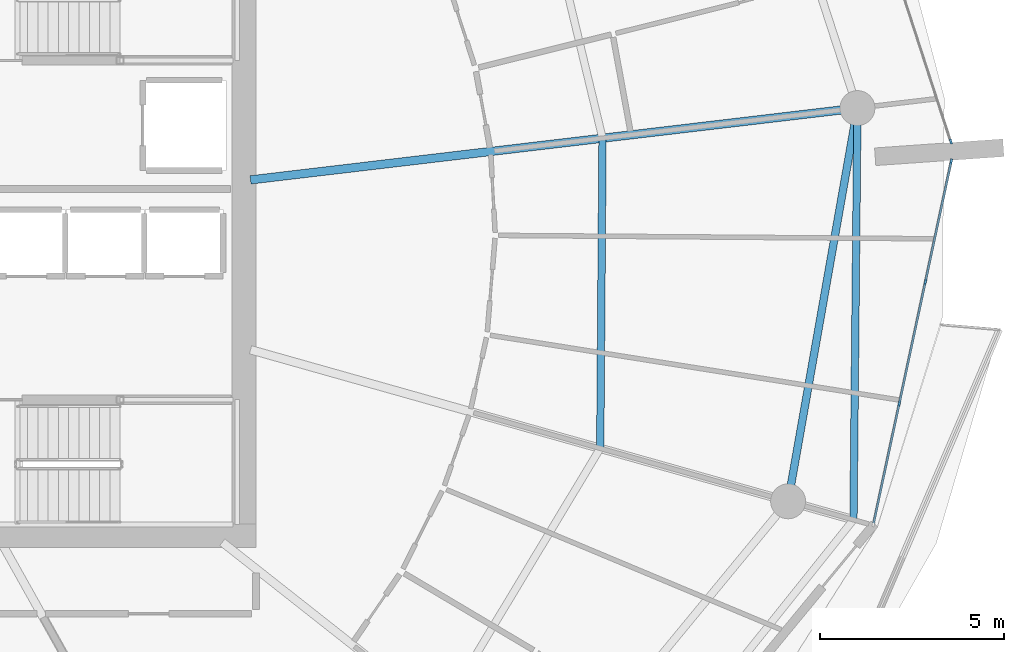
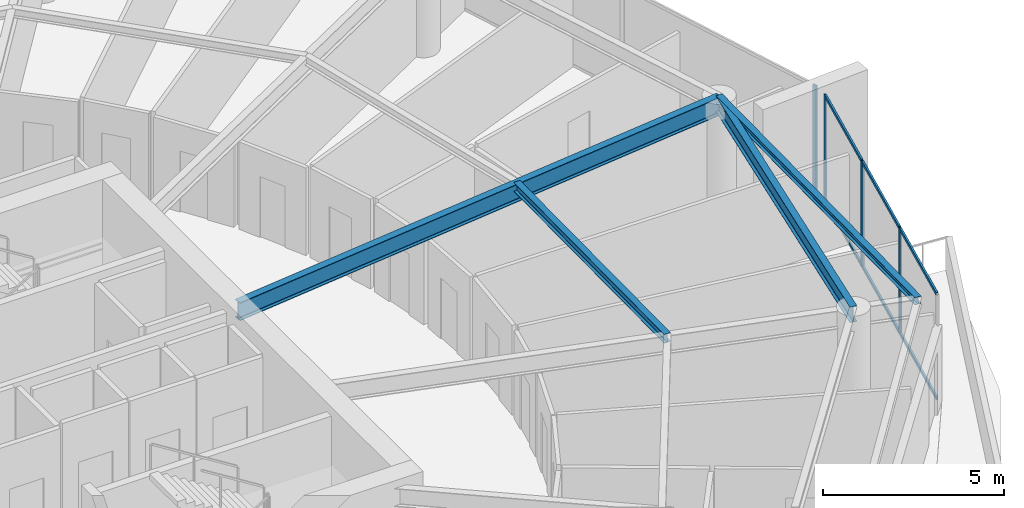
# One storey, part 11 of 31: 10 members, 4 beams, 2 elements without a shape of their own.
"""IFC4 building model written with IfcOpenShell, lengths in metres."""

from ifc_helpers import new_model, si_unit, direction, frame, origin, origin_2d, place, context, subcontext, project, spatial, rectangle, i_section, extrude, material, layer, layer_set, material_profile, profile_set, type_object, element, aggregate, save


model = new_model("IFC4")

# Units and contexts
model_context = context("Model", 3, precision=1e-05, world=origin(), true_north=direction((0.0, 1.0)))
body_context = subcontext(model_context, "Body", "Model", "MODEL_VIEW")
ifc_project = project(units=[si_unit("LENGTHUNIT", "METRE"), si_unit("AREAUNIT", "SQUARE_METRE"), si_unit("VOLUMEUNIT", "CUBIC_METRE"), si_unit("PLANEANGLEUNIT", "RADIAN"), si_unit("MASSUNIT", "GRAM", prefix="KILO")], contexts=[model_context])

# Site, building, storey
site_placement = place(None, origin())
site = spatial("IfcSite", under=ifc_project, at=site_placement, CompositionType="ELEMENT")
building_placement = place(site_placement, origin())
building = spatial("IfcBuilding", under=site, at=building_placement, Name="Kazma Halo Residences", CompositionType="ELEMENT")
storey_placement = place(building_placement, frame((0.0, 0.0, 259.800048828125)))
storey = spatial("IfcBuildingStorey", under=building, at=storey_placement, Name="L65", CompositionType="ELEMENT", Elevation=259.800048828125)

# Beams
ifc_material_1 = material(Name="Steel S355", Category="steel")
ifc_material_profile_1 = material_profile(ifc_material_1, i_section(OverallWidth=0.201904296875, OverallDepth=0.2470703125, WebThickness=0.00732421875, FlangeThickness=0.010986328125, FilletRadius=0.011962890625, at=origin_2d()), Name="W250x49.1")
ifc_profile_set_1 = profile_set([ifc_material_profile_1], Name="Steel S355")
beam_type_1 = type_object("IfcBeamType", Name="BM-BAL-CANT", PredefinedType="BEAM", material=ifc_profile_set_1)
beam_1_placement = place(storey_placement, frame((75.971435546875, 34.111083984375, 3.466552734375), z_axis=(0.009645503464, 0.999953481049, 0.0), x_axis=(-0.999953481049, 0.009645503464, 0.0)))
element("IfcBeam", 1, at=beam_1_placement, inside=storey, type_object=beam_type_1, Name="L65 wave-balcony tie beam 15", PredefinedType="BEAM", context=body_context, shape_type="SweptSolid", body=[
    extrude(i_section(OverallWidth=0.201904296875, OverallDepth=0.2470703125, WebThickness=0.00732421875, FlangeThickness=0.010986328125, FilletRadius=0.011962890625, at=origin_2d()), origin(), (0.0, 0.0, 1.0), 11.212890625),
])
ifc_material_profile_2 = material_profile(ifc_material_1, i_section(OverallWidth=0.22802734375, OverallDepth=0.60791015625, WebThickness=0.01123046875, FlangeThickness=0.017333984375, FilletRadius=0.01806640625, at=origin_2d()), Name="W610x113")
ifc_profile_set_2 = profile_set([ifc_material_profile_2], Name="Steel S355")
beam_type_2 = type_object("IfcBeamType", Name="BM-RAD-W610", PredefinedType="BEAM", material=ifc_profile_set_2)
beam_2_placement = place(storey_placement, frame((59.550048828125, 43.366943359375, 3.285888671875), z_axis=(0.993067455077, 0.117545861975, 0.0), x_axis=(-0.117545861975, 0.993067455077, 0.0)))
element("IfcBeam", 2, at=beam_2_placement, inside=storey, type_object=beam_type_2, Name="L65 radial floor beam 16", PredefinedType="BEAM", context=body_context, shape_type="SweptSolid", body=[
    extrude(i_section(OverallWidth=0.22802734375, OverallDepth=0.60791015625, WebThickness=0.01123046875, FlangeThickness=0.017333984375, FilletRadius=0.01806640625, at=origin_2d()), origin(), (0.0, 0.0, 1.0), 16.64501953125),
])
ifc_material_profile_3 = material_profile(ifc_material_1, i_section(OverallWidth=0.202880859375, OverallDepth=0.302978515625, WebThickness=0.007568359375, FlangeThickness=0.01318359375, FilletRadius=0.013916015625, at=origin_2d()), Name="W310x60")
ifc_profile_set_3 = profile_set([ifc_material_profile_3], Name="Steel S355")
beam_type_3 = type_object("IfcBeamType", Name="BM-SEC-W310A", PredefinedType="JOIST", material=ifc_profile_set_3)
beam_3_placement = place(storey_placement, frame((69.074462890625, 36.056396484375, 3.4384765625), z_axis=(0.007429258426, 0.999972402679, 0.0), x_axis=(-0.999972402679, 0.007429258426, 0.0)))
element("IfcBeam", 3, at=beam_3_placement, inside=storey, type_object=beam_type_3, Name="L65 circumferential floor joist 15", PredefinedType="JOIST", context=body_context, shape_type="SweptSolid", body=[
    extrude(i_section(OverallWidth=0.202880859375, OverallDepth=0.302978515625, WebThickness=0.007568359375, FlangeThickness=0.01318359375, FilletRadius=0.013916015625, at=origin_2d()), origin(), (0.0, 0.0, 1.0), 8.445556640625),
])
ifc_material_profile_4 = material_profile(ifc_material_1, i_section(OverallWidth=0.208984375, OverallDepth=0.532958984375, WebThickness=0.01025390625, FlangeThickness=0.015625, FilletRadius=0.01611328125, at=origin_2d()), Name="W530x92")
ifc_profile_set_4 = profile_set([ifc_material_profile_4], Name="Steel S355")
beam_type_4 = type_object("IfcBeamType", Name="BM-SPN-W530", PredefinedType="BEAM", material=ifc_profile_set_4)
beam_4_placement = place(storey_placement, frame((74.19091796875, 34.61328125, 3.323486328125), z_axis=(0.173663672311, 0.984805020763, 0.0), x_axis=(-0.984805020763, 0.173663672311, 0.0)))
element("IfcBeam", 4, at=beam_4_placement, inside=storey, type_object=beam_type_4, Name="L65 perimeter ring beam 15", PredefinedType="BEAM", context=body_context, shape_type="SweptSolid", body=[
    extrude(i_section(OverallWidth=0.208984375, OverallDepth=0.532958984375, WebThickness=0.01025390625, FlangeThickness=0.015625, FilletRadius=0.01611328125, at=origin_2d()), origin(), (0.0, 0.0, 1.0), 10.87548828125),
])

# Curtain wall, members
ifc_material_2 = material(Name="Aluminium AW-6063 T6 and Triple-Silver Low-E Glass", Category="aluminium")
ifc_layer = layer(ifc_material_2, 0.139892578125)
ifc_layer_set = layer_set([ifc_layer], Name="Aluminium AW-6063 T6 and Triple-Silver Low-E Glass")
curtain_wall_type = type_object("IfcCurtainWallType", Name="CW-SYS-5", PredefinedType="NOTDEFINED", material=ifc_layer_set)
curtain_wall_1_placement = place(storey_placement, origin())
curtain_wall_1 = element("IfcCurtainWall", 5, at=curtain_wall_1_placement, inside=storey, type_object=curtain_wall_type, Name="L65 unitised curtain wall B15", PredefinedType="NOTDEFINED")
ifc_material_3 = material(Name="Aluminium AW-6063 T6", Category="aluminium")
ifc_material_profile_5 = material_profile(ifc_material_3, rectangle(XDim=0.06005859375, YDim=0.139892578125, at=origin_2d()), Name="CWM-60x140")
ifc_profile_set_5 = profile_set([ifc_material_profile_5], Name="Aluminium AW-6063 T6")
member_type_1 = type_object("IfcMemberType", Name="CW-SYS-5-MUL", PredefinedType="MULLION", material=ifc_profile_set_5)
member_1_placement = place(storey_placement, frame((77.218994140625, 37.2734375, 0.0), z_axis=(0.0, 0.0, 1.0), x_axis=(-0.97777491373, 0.209657382603, 0.0)))
member_1 = element("IfcMember", 6, at=member_1_placement, type_object=member_type_1, Name="CWS-5 mullion 2", PredefinedType="MULLION", context=body_context, shape_type="SweptSolid", body=[
    extrude(rectangle(XDim=0.06005859375, YDim=0.139892578125, at=origin_2d()), origin(), (0.0, 0.0, 1.0), 3.58984375),
])
member_2_placement = place(storey_placement, frame((77.9296875, 40.587158203125, 0.0), z_axis=(0.0, 0.0, 1.0), x_axis=(-0.97777491373, 0.209657382603, 0.0)))
member_2 = element("IfcMember", 7, at=member_2_placement, type_object=member_type_1, Name="CWS-5 mullion 3", PredefinedType="MULLION", context=body_context, shape_type="SweptSolid", body=[
    extrude(rectangle(XDim=0.06005859375, YDim=0.139892578125, at=origin_2d()), origin(), (0.0, 0.0, 1.0), 3.58984375),
])
member_3_placement = place(storey_placement, frame((78.6337890625, 43.87158203125, 0.0), z_axis=(0.0, 0.0, 1.0), x_axis=(-0.97777491373, 0.209657382603, 0.0)))
member_3 = element("IfcMember", 8, at=member_3_placement, type_object=member_type_1, Name="CWS-5 mullion 4", PredefinedType="MULLION", context=body_context, shape_type="SweptSolid", body=[
    extrude(rectangle(XDim=0.06005859375, YDim=0.139892578125, at=origin_2d()), origin(), (0.0, 0.0, 1.0), 3.58984375),
])

# Curtain wall, member
curtain_wall_2_placement = place(storey_placement, origin())
curtain_wall_2 = element("IfcCurtainWall", 9, at=curtain_wall_2_placement, inside=storey, type_object=curtain_wall_type, Name="L65 unitised curtain wall B16", PredefinedType="NOTDEFINED")
member_4_placement = place(storey_placement, frame((78.622802734375, 44.412353515625, 0.0), z_axis=(0.0, 0.0, 1.0), x_axis=(-0.951058464359, -0.309010998786, 0.0)))
member_4 = element("IfcMember", 10, at=member_4_placement, type_object=member_type_1, Name="CWS-5 mullion 1", PredefinedType="MULLION", context=body_context, shape_type="SweptSolid", body=[
    extrude(rectangle(XDim=0.06005859375, YDim=0.139892578125, at=origin_2d()), origin(), (0.0, 0.0, 1.0), 3.58984375),
])
aggregate(curtain_wall_2, [member_4])

# Member
ifc_material_profile_6 = material_profile(ifc_material_3, rectangle(XDim=0.06005859375, YDim=0.10498046875, at=origin_2d()), Name="CWT-60x105")
ifc_profile_set_6 = profile_set([ifc_material_profile_6], Name="Aluminium AW-6063 T6")
member_type_2 = type_object("IfcMemberType", Name="CW-SYS-5-TRN", PredefinedType="USERDEFINED", material=ifc_profile_set_6)
member_5_placement = place(storey_placement, frame((76.52099609375, 34.0185546875, 0.030029296875), z_axis=(0.209660493552, 0.977774246666, 0.0), x_axis=(-0.977774246666, 0.209660493552, 0.0)))
member_5 = element("IfcMember", 11, at=member_5_placement, type_object=member_type_2, Name="CWS-5 transom 1.1", ObjectType="TRANSOM", PredefinedType="USERDEFINED", context=body_context, shape_type="SweptSolid", body=[
    extrude(rectangle(XDim=0.06005859375, YDim=0.10498046875, at=origin_2d()), origin(), (0.0, 0.0, 1.0), 3.298828125),
])

member_6_placement = place(storey_placement, frame((76.52099609375, 34.0185546875, 3.56005859375), z_axis=(0.209660493552, 0.977774246666, 0.0), x_axis=(-0.977774246666, 0.209660493552, 0.0)))
member_6 = element("IfcMember", 12, at=member_6_placement, type_object=member_type_2, Name="CWS-5 transom 1.2", ObjectType="TRANSOM", PredefinedType="USERDEFINED", context=body_context, shape_type="SweptSolid", body=[
    extrude(rectangle(XDim=0.06005859375, YDim=0.10498046875, at=origin_2d()), origin(), (0.0, 0.0, 1.0), 3.298828125),
])

member_7_placement = place(storey_placement, frame((77.225341796875, 37.302734375, 0.030029296875), z_axis=(0.209664309019, 0.977773428522, 0.0), x_axis=(-0.977773428522, 0.209664309019, 0.0)))
member_7 = element("IfcMember", 13, at=member_7_placement, type_object=member_type_2, Name="CWS-5 transom 2.1", ObjectType="TRANSOM", PredefinedType="USERDEFINED", context=body_context, shape_type="SweptSolid", body=[
    extrude(rectangle(XDim=0.06005859375, YDim=0.10498046875, at=origin_2d()), origin(), (0.0, 0.0, 1.0), 3.3291015625),
])

member_8_placement = place(storey_placement, frame((77.225341796875, 37.302734375, 3.56005859375), z_axis=(0.209664309019, 0.977773428522, 0.0), x_axis=(-0.977773428522, 0.209664309019, 0.0)))
member_8 = element("IfcMember", 14, at=member_8_placement, type_object=member_type_2, Name="CWS-5 transom 2.2", ObjectType="TRANSOM", PredefinedType="USERDEFINED", context=body_context, shape_type="SweptSolid", body=[
    extrude(rectangle(XDim=0.06005859375, YDim=0.10498046875, at=origin_2d()), origin(), (0.0, 0.0, 1.0), 3.3291015625),
])

member_9_placement = place(storey_placement, frame((77.935791015625, 40.616455078125, 0.030029296875), z_axis=(0.209645323239, 0.977777499457, 0.0), x_axis=(-0.977777499457, 0.209645323239, 0.0)))
member_9 = element("IfcMember", 15, at=member_9_placement, type_object=member_type_2, Name="CWS-5 transom 3.1", ObjectType="TRANSOM", PredefinedType="USERDEFINED", context=body_context, shape_type="SweptSolid", body=[
    extrude(rectangle(XDim=0.06005859375, YDim=0.10498046875, at=origin_2d()), origin(), (0.0, 0.0, 1.0), 3.299072265625),
])

member_10_placement = place(storey_placement, frame((77.935791015625, 40.616455078125, 3.56005859375), z_axis=(0.209645323239, 0.977777499457, 0.0), x_axis=(-0.977777499457, 0.209645323239, 0.0)))
member_10 = element("IfcMember", 16, at=member_10_placement, type_object=member_type_2, Name="CWS-5 transom 3.2", ObjectType="TRANSOM", PredefinedType="USERDEFINED", context=body_context, shape_type="SweptSolid", body=[
    extrude(rectangle(XDim=0.06005859375, YDim=0.10498046875, at=origin_2d()), origin(), (0.0, 0.0, 1.0), 3.299072265625),
])

aggregate(curtain_wall_1, [member_1, member_2, member_3, member_5, member_6, member_7, member_8, member_9, member_10])

save(model, "model.ifc")
